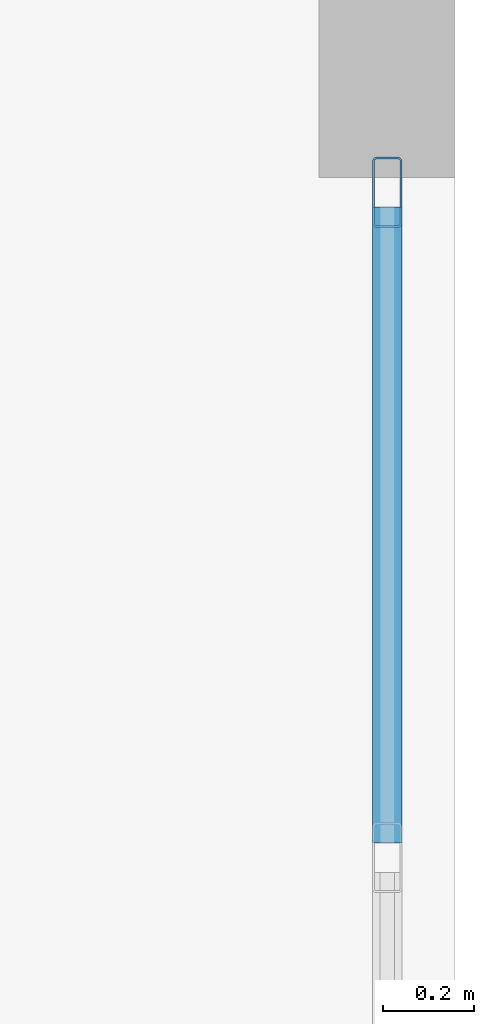
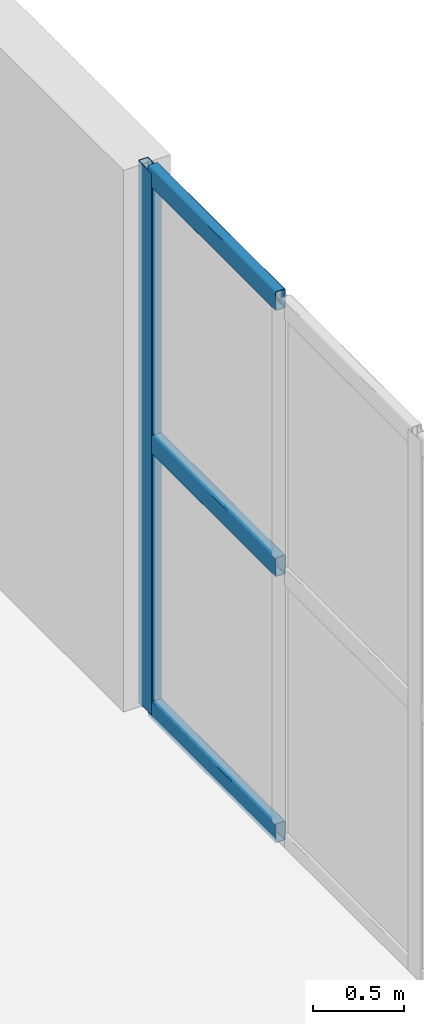
# One storey, part 4 of 7: 4 members, 1 element without a shape of its own.
"""IFC4 building model written with IfcOpenShell, lengths in metres."""

from ifc_helpers import new_model, entity, si_unit, converted_unit, direction, frame, origin_with_axes, origin_2d_with_axis, place, context, subcontext, project, spatial, hollow_rectangle, extrude, material, material_profile, profile_set, type_object, element, aggregate, save


model = new_model("IFC4")

# Units and contexts
model_context = context("Model", 3, precision=1e-05, world=origin_with_axes(), true_north=direction((0.0, 1.0)))
body_context = subcontext(model_context, "Body", "Model", "MODEL_VIEW")
ifc_project = project(units=[si_unit("LENGTHUNIT", "METRE"), si_unit("AREAUNIT", "SQUARE_METRE"), si_unit("VOLUMEUNIT", "CUBIC_METRE"), converted_unit("PLANEANGLEUNIT", "DEGREE", entity("IfcPlaneAngleMeasure", 0.017453292519943295), si_unit("PLANEANGLEUNIT", "RADIAN"), dimensions=[0, 0, 0, 0, 0, 0, 0]), si_unit("MASSUNIT", "GRAM", prefix="KILO"), si_unit("THERMODYNAMICTEMPERATUREUNIT", "KELVIN")], contexts=[model_context])

# Site, building, storey
site_placement = place(None, origin_with_axes())
site = spatial("IfcSite", under=ifc_project, at=site_placement, CompositionType="ELEMENT")
building_placement = place(site_placement, origin_with_axes())
building = spatial("IfcBuilding", under=site, at=building_placement, Name="Varnlund Millrace Tower", CompositionType="ELEMENT")
storey_placement = place(building_placement, frame((0.0, 0.0, 316.5), z_axis=(0.0, 0.0, 1.0), x_axis=(1.0, 0.0, 0.0)))
storey = spatial("IfcBuildingStorey", under=building, at=storey_placement, Name="L78", CompositionType="ELEMENT", Elevation=316.5)

# Curtain wall, members
ifc_material_1 = material(Name="Thermally broken architectural bronze curtain wall", Category="aluminium")
curtain_wall_type = type_object("IfcCurtainWallType", Name="Type-CW-Sys6-Observatory", PredefinedType="NOTDEFINED", material=ifc_material_1)
curtain_wall_placement = place(storey_placement, frame((32.25, 37.0, 0.0), z_axis=(0.0, 0.0, 1.0), x_axis=(1.0, 0.0, 0.0)))
curtain_wall = element("IfcCurtainWall", 1, at=curtain_wall_placement, inside=storey, type_object=curtain_wall_type, Name="Type-CW-Sys6-Observatory", PredefinedType="NOTDEFINED")
ifc_material_2 = material(Name="Architectural bronze aluminium alloy 6063-T6", Category="aluminium")
ifc_material_profile_1 = material_profile(ifc_material_2, hollow_rectangle(XDim=0.065, YDim=0.155, WallThickness=0.0045, InnerFilletRadius=0.004, OuterFilletRadius=0.009, at=origin_2d_with_axis()), Name="Architectural bronze aluminium alloy 6063-T6")
ifc_profile_set_1 = profile_set([ifc_material_profile_1], Name="Architectural bronze aluminium alloy 6063-T6")
member_type_1 = type_object("IfcMemberType", Name="Type-CW-Mullion-65X155", PredefinedType="MULLION", material=ifc_profile_set_1)
member_1_placement = place(storey_placement, frame((32.25, 36.9675, 0.0), z_axis=(0.0, 0.0, 1.0), x_axis=(1.0, 0.0, 0.0)))
member_1 = element("IfcMember", 2, at=member_1_placement, type_object=member_type_1, Name="CW-06 mullion 1", PredefinedType="MULLION", context=body_context, shape_type="SweptSolid", body=[
    extrude(hollow_rectangle(XDim=0.065, YDim=0.155, WallThickness=0.0045, InnerFilletRadius=0.004, OuterFilletRadius=0.009, at=origin_2d_with_axis()), origin_with_axes(), (0.0, 0.0, 1.0), 3.64),
])
ifc_material_profile_2 = material_profile(ifc_material_2, hollow_rectangle(XDim=0.065, YDim=0.13, WallThickness=0.0045, InnerFilletRadius=0.004, OuterFilletRadius=0.009, at=origin_2d_with_axis()), Name="Architectural bronze aluminium alloy 6063-T6")
ifc_profile_set_2 = profile_set([ifc_material_profile_2], Name="Architectural bronze aluminium alloy 6063-T6")
member_type_2 = type_object("IfcMemberType", Name="Type-CW-Transom-65X130", PredefinedType="USERDEFINED", material=ifc_profile_set_2)
member_2_placement = place(storey_placement, frame((32.25, 36.935, 0.0325), z_axis=(0.0, -1.0, 0.0), x_axis=(1.0, 0.0, 0.0)))
member_2 = element("IfcMember", 3, at=member_2_placement, type_object=member_type_2, Name="CW-06 transom 1.1", ObjectType="TRANSOM", PredefinedType="USERDEFINED", context=body_context, shape_type="SweptSolid", body=[
    extrude(hollow_rectangle(XDim=0.065, YDim=0.13, WallThickness=0.0045, InnerFilletRadius=0.004, OuterFilletRadius=0.009, at=origin_2d_with_axis()), origin_with_axes(), (0.0, 0.0, 1.0), 1.4025),
])
member_3_placement = place(storey_placement, frame((32.25, 36.935, 1.82), z_axis=(0.0, -1.0, 0.0), x_axis=(1.0, 0.0, 0.0)))
member_3 = element("IfcMember", 4, at=member_3_placement, type_object=member_type_2, Name="CW-06 transom 1.2", ObjectType="TRANSOM", PredefinedType="USERDEFINED", context=body_context, shape_type="SweptSolid", body=[
    extrude(hollow_rectangle(XDim=0.065, YDim=0.13, WallThickness=0.0045, InnerFilletRadius=0.004, OuterFilletRadius=0.009, at=origin_2d_with_axis()), origin_with_axes(), (0.0, 0.0, 1.0), 1.4025),
])
member_4_placement = place(storey_placement, frame((32.25, 36.935, 3.6075), z_axis=(0.0, -1.0, 0.0), x_axis=(1.0, 0.0, 0.0)))
member_4 = element("IfcMember", 5, at=member_4_placement, type_object=member_type_2, Name="CW-06 transom 1.3", ObjectType="TRANSOM", PredefinedType="USERDEFINED", context=body_context, shape_type="SweptSolid", body=[
    extrude(hollow_rectangle(XDim=0.065, YDim=0.13, WallThickness=0.0045, InnerFilletRadius=0.004, OuterFilletRadius=0.009, at=origin_2d_with_axis()), origin_with_axes(), (0.0, 0.0, 1.0), 1.4025),
])
aggregate(curtain_wall, [member_1, member_2, member_3, member_4])

save(model, "model.ifc")
